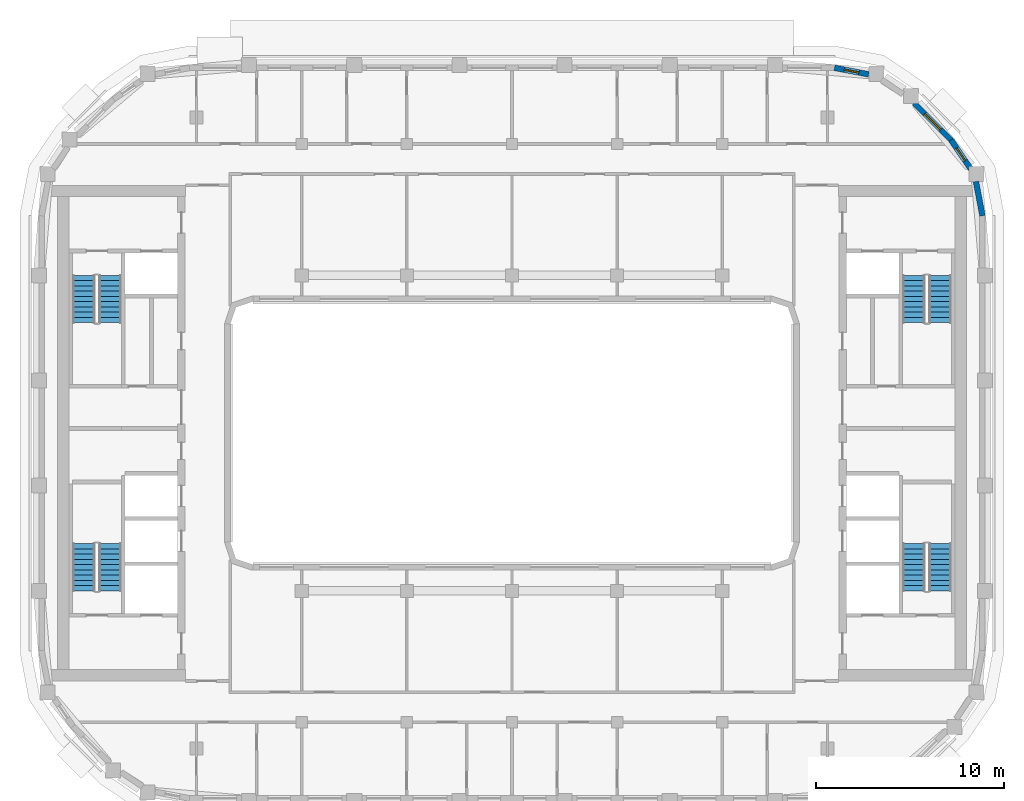
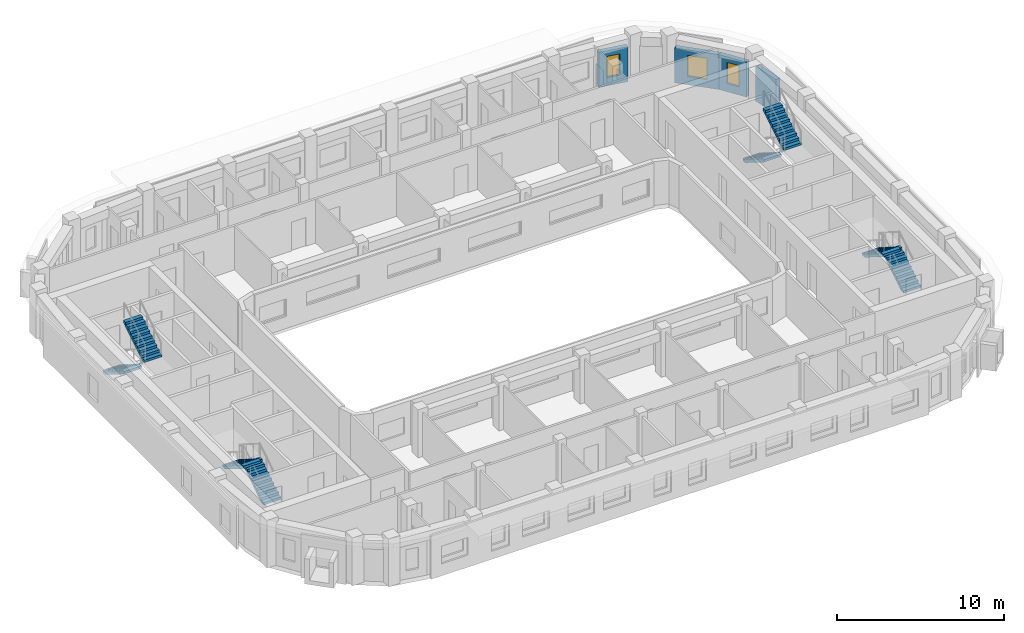
# One storey, part 8 of 15: 8 stair flights, 4 walls, 3 windows, 3 openings, 4 elements without a shape of their own.
"""IFC4 building model written with IfcOpenShell, lengths in metres."""

from ifc_helpers import new_model, si_unit, direction, frame, frame_2d, origin, place, context, subcontext, project, spatial, polyline, rectangle, outline, extrude, material, layer, layer_set, type_object, element, fill, aggregate, save


model = new_model("IFC4")

# Units and contexts
model_context = context("Model", 3, precision=1e-05, world=origin(), true_north=direction((0.0, 1.0)))
body_context = subcontext(model_context, "Body", "Model", "MODEL_VIEW")
ifc_project = project(units=[si_unit("LENGTHUNIT", "METRE"), si_unit("AREAUNIT", "SQUARE_METRE"), si_unit("VOLUMEUNIT", "CUBIC_METRE"), si_unit("PLANEANGLEUNIT", "RADIAN"), si_unit("MASSUNIT", "GRAM", prefix="KILO")], contexts=[model_context])

# Site, building, storey
site_placement = place(None, origin())
site = spatial("IfcSite", under=ifc_project, at=site_placement, CompositionType="ELEMENT")
building_placement = place(site_placement, origin())
building = spatial("IfcBuilding", under=site, at=building_placement, Name="Kiln Ring Residences", CompositionType="ELEMENT")
storey_placement = place(building_placement, frame((0.0, 0.0, 252.199951171875)))
storey = spatial("IfcBuildingStorey", under=building, at=storey_placement, Name="L65", CompositionType="ELEMENT", Elevation=252.199951171875)

# Wall
ifc_material_1 = material(Name="Brick masonry, dark clay brick", Category="masonry")
ifc_layer = layer(ifc_material_1, 0.300048828125)
ifc_layer_set = layer_set([ifc_layer], Name="EW-300 BRICK WALL")
wall_type = type_object("IfcWallType", Name="EW-300 BRICK WALL", PredefinedType="SOLIDWALL", material=ifc_layer_set)
wall_1_placement = place(storey_placement, frame((25.052734375, 11.57177734375, 0.0), z_axis=(0.0, 0.0, 1.0), x_axis=(-0.187408222942, 0.982282117303, 0.0)))
element("IfcWall", 1, at=wall_1_placement, inside=storey, type_object=wall_type, Name="Facade wall L65 21", PredefinedType="SOLIDWALL", context=body_context, shape_type="SweptSolid", body=[
    extrude(rectangle(XDim=1.8564453125, YDim=0.300048828125, at=frame_2d((0.92822265625, 0.0))), origin(), (0.0, 0.0, 1.0), 2.550048828125),
])

# Wall, opening, window
wall_2_placement = place(storey_placement, frame((24.422119140625, 14.07763671875, 0.0), z_axis=(0.0, 0.0, 1.0), x_axis=(-0.562054549384, 0.827100165347, 0.0)))
wall_2 = element("IfcWall", 2, at=wall_2_placement, inside=storey, type_object=wall_type, Name="Facade wall L65 22", PredefinedType="SOLIDWALL", context=body_context, shape_type="SweptSolid", body=[
    extrude(rectangle(XDim=1.85595703125, YDim=0.300048828125, at=frame_2d((0.927978515625, 0.0))), origin(), (0.0, 0.0, 1.0), 2.550048828125),
])
opening_1_placement = place(wall_2_placement, frame((0.528076171875, 0.0, 0.60009765625)))
opening_1 = element("IfcOpeningElement", 3, at=opening_1_placement, cuts=wall_2, Name="Opening W5", PredefinedType="OPENING", context=body_context, shape_type="SweptSolid", body=[
    extrude(rectangle(XDim=0.800048828125, YDim=1.550048828125, at=frame_2d((0.39990234375, 0.77490234375))), frame((0.0, 0.159912109375, 0.0), z_axis=(0.0, -1.0, 0.0), x_axis=(1.0, 0.0, 0.0)), (0.0, 0.0, 1.0), 0.320068359375),
])
ifc_material_2 = material(Name="Aluminium frame with double glazing", Category="aluminium")
window_type_1 = type_object("IfcWindowType", Name="WINDOW 800 x 1550", PartitioningType="SINGLE_PANEL", PredefinedType="WINDOW", material=ifc_material_2)
window_1_placement = place(opening_1_placement, origin())
window_1 = element("IfcWindow", 4, at=window_1_placement, inside=storey, type_object=window_type_1, Name="Window L65 18", OverallHeight=1.550048828125, OverallWidth=0.800048828125, PartitioningType="SINGLE_PANEL", PredefinedType="WINDOW", context=body_context, shape_type="SweptSolid", body=[
    extrude(rectangle(XDim=0.800048828125, YDim=1.550048828125, at=frame_2d((0.39990234375, 0.77490234375))), frame((0.0, 0.030029296875, 0.0), z_axis=(0.0, -1.0, 0.0), x_axis=(1.0, 0.0, 0.0)), (0.0, 0.0, 1.0), 0.06005859375),
])
fill(opening_1, window_1)

wall_3_placement = place(storey_placement, frame((23.39697265625, 15.591064453125, 0.0), z_axis=(0.0, 0.0, 1.0), x_axis=(-0.707150377276, 0.707063182409, 0.0)))
wall_3 = element("IfcWall", 5, at=wall_3_placement, inside=storey, type_object=wall_type, Name="Facade wall L65 23", PredefinedType="SOLIDWALL", context=body_context, shape_type="SweptSolid", body=[
    extrude(rectangle(XDim=2.800048828125, YDim=0.300048828125, at=frame_2d((1.39990234375, 0.0))), origin(), (0.0, 0.0, 1.0), 2.550048828125),
])
opening_2_placement = place(wall_3_placement, frame((0.800048828125, 0.0, 0.60009765625)))
opening_2 = element("IfcOpeningElement", 6, at=opening_2_placement, cuts=wall_3, Name="Opening W1", PredefinedType="OPENING", context=body_context, shape_type="SweptSolid", body=[
    extrude(rectangle(XDim=1.199951171875, YDim=1.550048828125, at=frame_2d((0.60009765625, 0.77490234375))), frame((0.0, 0.159912109375, 0.0), z_axis=(0.0, -1.0, 0.0), x_axis=(1.0, 0.0, 0.0)), (0.0, 0.0, 1.0), 0.320068359375),
])
ifc_material_3 = material(Name="Aluminium frame with double glazing", Category="aluminium")
window_type_2 = type_object("IfcWindowType", Name="WINDOW 1200 x 1550", PartitioningType="SINGLE_PANEL", PredefinedType="WINDOW", material=ifc_material_3)
window_2_placement = place(opening_2_placement, origin())
window_2 = element("IfcWindow", 7, at=window_2_placement, inside=storey, type_object=window_type_2, Name="Window L65 19", OverallHeight=1.550048828125, OverallWidth=1.199951171875, PartitioningType="SINGLE_PANEL", PredefinedType="WINDOW", context=body_context, shape_type="SweptSolid", body=[
    extrude(rectangle(XDim=1.199951171875, YDim=1.550048828125, at=frame_2d((0.60009765625, 0.77490234375))), frame((0.0, 0.030029296875, 0.0), z_axis=(0.0, -1.0, 0.0), x_axis=(1.0, 0.0, 0.0)), (0.0, 0.0, 1.0), 0.06005859375),
])
fill(opening_2, window_2)

wall_4_placement = place(storey_placement, frame((18.9951171875, 19.10498046875, 0.0), z_axis=(0.0, 0.0, 1.0), x_axis=(-0.982301706131, 0.187305520826, 0.0)))
wall_4 = element("IfcWall", 8, at=wall_4_placement, inside=storey, type_object=wall_type, Name="Facade wall L65 25", PredefinedType="SOLIDWALL", context=body_context, shape_type="SweptSolid", body=[
    extrude(rectangle(XDim=1.856201171875, YDim=0.300048828125, at=frame_2d((0.92822265625, 0.0))), origin(), (0.0, 0.0, 1.0), 2.550048828125),
])
opening_3_placement = place(wall_4_placement, frame((0.528076171875, 0.0, 0.60009765625)))
opening_3 = element("IfcOpeningElement", 9, at=opening_3_placement, cuts=wall_4, Name="Opening W5", PredefinedType="OPENING", context=body_context, shape_type="SweptSolid", body=[
    extrude(rectangle(XDim=0.800048828125, YDim=1.550048828125, at=frame_2d((0.39990234375, 0.77490234375))), frame((0.0, 0.159912109375, 0.0), z_axis=(0.0, -1.0, 0.0), x_axis=(1.0, 0.0, 0.0)), (0.0, 0.0, 1.0), 0.320068359375),
])
window_3_placement = place(opening_3_placement, origin())
window_3 = element("IfcWindow", 10, at=window_3_placement, inside=storey, type_object=window_type_1, Name="Window L65 20", OverallHeight=1.550048828125, OverallWidth=0.800048828125, PartitioningType="SINGLE_PANEL", PredefinedType="WINDOW", context=body_context, shape_type="SweptSolid", body=[
    extrude(rectangle(XDim=0.800048828125, YDim=1.550048828125, at=frame_2d((0.39990234375, 0.77490234375))), frame((0.0, 0.030029296875, 0.0), z_axis=(0.0, -1.0, 0.0), x_axis=(1.0, 0.0, 0.0)), (0.0, 0.0, 1.0), 0.06005859375),
])
fill(opening_3, window_3)

# Stair, stair flights
ifc_material_4 = material(Name="Concrete C40/50", Category="concrete")
stair_type = type_object("IfcStairType", Name="CORE-STAIR", PredefinedType="HALF_TURN_STAIR", material=ifc_material_4)
placement = place(storey_placement, origin())
stair_1 = element("IfcStair", 11, at=placement, inside=storey, type_object=stair_type, Name="L65 stair W-STN", PredefinedType="HALF_TURN_STAIR")
ifc_material_5 = material(Name="Concrete C40/50", Category="concrete")
stair_flight_type = type_object("IfcStairFlightType", Name="CORE-STAIR-FLIGHT", PredefinedType="STRAIGHT", material=ifc_material_5)
stair_flight_1_placement = place(storey_placement, frame((-22.800048828125, 8.39990234375, 0.0), z_axis=(0.0, 0.0, 1.0), x_axis=(0.0, -1.0, 0.0)))
stair_flight_1 = element("IfcStairFlight", 12, at=stair_flight_1_placement, type_object=stair_flight_type, Name="W-STN flight 1", NumberOfRisers=10, NumberOfTreads=9, PredefinedType="STRAIGHT", RiserHeight=0.175, TreadLength=0.28, context=body_context, shape_type="SweptSolid", body=[
    extrude(outline(polyline([(0.0, 0.0), (0.0, 0.175048828125), (0.280029296875, 0.175048828125), (0.280029296875, 0.35009765625), (0.56005859375, 0.35009765625), (0.56005859375, 0.52490234375), (0.840087890625, 0.52490234375), (0.840087890625, 0.699951171875), (1.1201171875, 0.699951171875), (1.1201171875, 0.875), (1.39990234375, 0.875), (1.39990234375, 1.050048828125), (1.679931640625, 1.050048828125), (1.679931640625, 1.22509765625), (1.9599609375, 1.22509765625), (1.9599609375, 1.39990234375), (2.239990234375, 1.39990234375), (2.239990234375, 1.574951171875), (2.52001953125, 1.574951171875), (2.52001953125, 1.75), (2.52001953125, 1.398193359375), (0.28271484375, 0.0), (0.0, 0.0)])), frame((0.0, 0.60009765625, 0.0), z_axis=(0.0, -1.0, 0.0), x_axis=(1.0, 0.0, 0.0)), (0.0, 0.0, 1.0), 1.199951171875),
])
stair_flight_2_placement = place(storey_placement, frame((-21.39990234375, 5.8798828125, 1.75), z_axis=(0.0, 0.0, 1.0), x_axis=(0.0, 1.0, 0.0)))
stair_flight_2 = element("IfcStairFlight", 13, at=stair_flight_2_placement, type_object=stair_flight_type, Name="W-STN flight 2", NumberOfRisers=10, NumberOfTreads=9, PredefinedType="STRAIGHT", RiserHeight=0.175, TreadLength=0.28, context=body_context, shape_type="SweptSolid", body=[
    extrude(outline(polyline([(0.0, 0.0), (0.0, 0.175048828125), (0.280029296875, 0.175048828125), (0.280029296875, 0.35009765625), (0.56005859375, 0.35009765625), (0.56005859375, 0.52490234375), (0.840087890625, 0.52490234375), (0.840087890625, 0.699951171875), (1.1201171875, 0.699951171875), (1.1201171875, 0.875), (1.39990234375, 0.875), (1.39990234375, 1.050048828125), (1.679931640625, 1.050048828125), (1.679931640625, 1.22509765625), (1.9599609375, 1.22509765625), (1.9599609375, 1.39990234375), (2.239990234375, 1.39990234375), (2.239990234375, 1.574951171875), (2.52001953125, 1.574951171875), (2.52001953125, 1.75), (2.52001953125, 1.398193359375), (0.28271484375, 0.0), (0.0, 0.0)])), frame((0.0, 0.60009765625, 0.0), z_axis=(0.0, -1.0, 0.0), x_axis=(1.0, 0.0, 0.0)), (0.0, 0.0, 1.0), 1.199951171875),
])
aggregate(stair_1, [stair_flight_1, stair_flight_2])

stair_2 = element("IfcStair", 14, at=placement, inside=storey, type_object=stair_type, Name="L65 stair W-STS", PredefinedType="HALF_TURN_STAIR")
stair_flight_3_placement = place(storey_placement, frame((-21.39990234375, -8.39990234375, 0.0), z_axis=(0.0, 0.0, 1.0), x_axis=(0.0, 1.0, 0.0)))
stair_flight_3 = element("IfcStairFlight", 15, at=stair_flight_3_placement, type_object=stair_flight_type, Name="W-STS flight 1", NumberOfRisers=10, NumberOfTreads=9, PredefinedType="STRAIGHT", RiserHeight=0.175, TreadLength=0.28, context=body_context, shape_type="SweptSolid", body=[
    extrude(outline(polyline([(0.0, 0.0), (0.0, 0.175048828125), (0.280029296875, 0.175048828125), (0.280029296875, 0.35009765625), (0.56005859375, 0.35009765625), (0.56005859375, 0.52490234375), (0.840087890625, 0.52490234375), (0.840087890625, 0.699951171875), (1.1201171875, 0.699951171875), (1.1201171875, 0.875), (1.39990234375, 0.875), (1.39990234375, 1.050048828125), (1.679931640625, 1.050048828125), (1.679931640625, 1.22509765625), (1.9599609375, 1.22509765625), (1.9599609375, 1.39990234375), (2.239990234375, 1.39990234375), (2.239990234375, 1.574951171875), (2.52001953125, 1.574951171875), (2.52001953125, 1.75), (2.52001953125, 1.398193359375), (0.28271484375, 0.0), (0.0, 0.0)])), frame((0.0, 0.60009765625, 0.0), z_axis=(0.0, -1.0, 0.0), x_axis=(1.0, 0.0, 0.0)), (0.0, 0.0, 1.0), 1.199951171875),
])
stair_flight_4_placement = place(storey_placement, frame((-22.800048828125, -5.8798828125, 1.75), z_axis=(0.0, 0.0, 1.0), x_axis=(0.0, -1.0, 0.0)))
stair_flight_4 = element("IfcStairFlight", 16, at=stair_flight_4_placement, type_object=stair_flight_type, Name="W-STS flight 2", NumberOfRisers=10, NumberOfTreads=9, PredefinedType="STRAIGHT", RiserHeight=0.175, TreadLength=0.28, context=body_context, shape_type="SweptSolid", body=[
    extrude(outline(polyline([(0.0, 0.0), (0.0, 0.175048828125), (0.280029296875, 0.175048828125), (0.280029296875, 0.35009765625), (0.56005859375, 0.35009765625), (0.56005859375, 0.52490234375), (0.840087890625, 0.52490234375), (0.840087890625, 0.699951171875), (1.1201171875, 0.699951171875), (1.1201171875, 0.875), (1.39990234375, 0.875), (1.39990234375, 1.050048828125), (1.679931640625, 1.050048828125), (1.679931640625, 1.22509765625), (1.9599609375, 1.22509765625), (1.9599609375, 1.39990234375), (2.239990234375, 1.39990234375), (2.239990234375, 1.574951171875), (2.52001953125, 1.574951171875), (2.52001953125, 1.75), (2.52001953125, 1.398193359375), (0.28271484375, 0.0), (0.0, 0.0)])), frame((0.0, 0.60009765625, 0.0), z_axis=(0.0, -1.0, 0.0), x_axis=(1.0, 0.0, 0.0)), (0.0, 0.0, 1.0), 1.199951171875),
])
aggregate(stair_2, [stair_flight_3, stair_flight_4])

stair_3 = element("IfcStair", 17, at=placement, inside=storey, type_object=stair_type, Name="L65 stair E-STN", PredefinedType="HALF_TURN_STAIR")
stair_flight_5_placement = place(storey_placement, frame((21.39990234375, 8.39990234375, 0.0), z_axis=(0.0, 0.0, 1.0), x_axis=(0.0, -1.0, 0.0)))
stair_flight_5 = element("IfcStairFlight", 18, at=stair_flight_5_placement, type_object=stair_flight_type, Name="E-STN flight 1", NumberOfRisers=10, NumberOfTreads=9, PredefinedType="STRAIGHT", RiserHeight=0.175, TreadLength=0.28, context=body_context, shape_type="SweptSolid", body=[
    extrude(outline(polyline([(0.0, 0.0), (0.0, 0.175048828125), (0.280029296875, 0.175048828125), (0.280029296875, 0.35009765625), (0.56005859375, 0.35009765625), (0.56005859375, 0.52490234375), (0.840087890625, 0.52490234375), (0.840087890625, 0.699951171875), (1.1201171875, 0.699951171875), (1.1201171875, 0.875), (1.39990234375, 0.875), (1.39990234375, 1.050048828125), (1.679931640625, 1.050048828125), (1.679931640625, 1.22509765625), (1.9599609375, 1.22509765625), (1.9599609375, 1.39990234375), (2.239990234375, 1.39990234375), (2.239990234375, 1.574951171875), (2.52001953125, 1.574951171875), (2.52001953125, 1.75), (2.52001953125, 1.398193359375), (0.28271484375, 0.0), (0.0, 0.0)])), frame((0.0, 0.60009765625, 0.0), z_axis=(0.0, -1.0, 0.0), x_axis=(1.0, 0.0, 0.0)), (0.0, 0.0, 1.0), 1.199951171875),
])
stair_flight_6_placement = place(storey_placement, frame((22.800048828125, 5.8798828125, 1.75), z_axis=(0.0, 0.0, 1.0), x_axis=(0.0, 1.0, 0.0)))
stair_flight_6 = element("IfcStairFlight", 19, at=stair_flight_6_placement, type_object=stair_flight_type, Name="E-STN flight 2", NumberOfRisers=10, NumberOfTreads=9, PredefinedType="STRAIGHT", RiserHeight=0.175, TreadLength=0.28, context=body_context, shape_type="SweptSolid", body=[
    extrude(outline(polyline([(0.0, 0.0), (0.0, 0.175048828125), (0.280029296875, 0.175048828125), (0.280029296875, 0.35009765625), (0.56005859375, 0.35009765625), (0.56005859375, 0.52490234375), (0.840087890625, 0.52490234375), (0.840087890625, 0.699951171875), (1.1201171875, 0.699951171875), (1.1201171875, 0.875), (1.39990234375, 0.875), (1.39990234375, 1.050048828125), (1.679931640625, 1.050048828125), (1.679931640625, 1.22509765625), (1.9599609375, 1.22509765625), (1.9599609375, 1.39990234375), (2.239990234375, 1.39990234375), (2.239990234375, 1.574951171875), (2.52001953125, 1.574951171875), (2.52001953125, 1.75), (2.52001953125, 1.398193359375), (0.28271484375, 0.0), (0.0, 0.0)])), frame((0.0, 0.60009765625, 0.0), z_axis=(0.0, -1.0, 0.0), x_axis=(1.0, 0.0, 0.0)), (0.0, 0.0, 1.0), 1.199951171875),
])
aggregate(stair_3, [stair_flight_5, stair_flight_6])

stair_4 = element("IfcStair", 20, at=placement, inside=storey, type_object=stair_type, Name="L65 stair E-STS", PredefinedType="HALF_TURN_STAIR")
stair_flight_7_placement = place(storey_placement, frame((22.800048828125, -8.39990234375, 0.0), z_axis=(0.0, 0.0, 1.0), x_axis=(0.0, 1.0, 0.0)))
stair_flight_7 = element("IfcStairFlight", 21, at=stair_flight_7_placement, type_object=stair_flight_type, Name="E-STS flight 1", NumberOfRisers=10, NumberOfTreads=9, PredefinedType="STRAIGHT", RiserHeight=0.175, TreadLength=0.28, context=body_context, shape_type="SweptSolid", body=[
    extrude(outline(polyline([(0.0, 0.0), (0.0, 0.175048828125), (0.280029296875, 0.175048828125), (0.280029296875, 0.35009765625), (0.56005859375, 0.35009765625), (0.56005859375, 0.52490234375), (0.840087890625, 0.52490234375), (0.840087890625, 0.699951171875), (1.1201171875, 0.699951171875), (1.1201171875, 0.875), (1.39990234375, 0.875), (1.39990234375, 1.050048828125), (1.679931640625, 1.050048828125), (1.679931640625, 1.22509765625), (1.9599609375, 1.22509765625), (1.9599609375, 1.39990234375), (2.239990234375, 1.39990234375), (2.239990234375, 1.574951171875), (2.52001953125, 1.574951171875), (2.52001953125, 1.75), (2.52001953125, 1.398193359375), (0.28271484375, 0.0), (0.0, 0.0)])), frame((0.0, 0.60009765625, 0.0), z_axis=(0.0, -1.0, 0.0), x_axis=(1.0, 0.0, 0.0)), (0.0, 0.0, 1.0), 1.199951171875),
])
stair_flight_8_placement = place(storey_placement, frame((21.39990234375, -5.8798828125, 1.75), z_axis=(0.0, 0.0, 1.0), x_axis=(0.0, -1.0, 0.0)))
stair_flight_8 = element("IfcStairFlight", 22, at=stair_flight_8_placement, type_object=stair_flight_type, Name="E-STS flight 2", NumberOfRisers=10, NumberOfTreads=9, PredefinedType="STRAIGHT", RiserHeight=0.175, TreadLength=0.28, context=body_context, shape_type="SweptSolid", body=[
    extrude(outline(polyline([(0.0, 0.0), (0.0, 0.175048828125), (0.280029296875, 0.175048828125), (0.280029296875, 0.35009765625), (0.56005859375, 0.35009765625), (0.56005859375, 0.52490234375), (0.840087890625, 0.52490234375), (0.840087890625, 0.699951171875), (1.1201171875, 0.699951171875), (1.1201171875, 0.875), (1.39990234375, 0.875), (1.39990234375, 1.050048828125), (1.679931640625, 1.050048828125), (1.679931640625, 1.22509765625), (1.9599609375, 1.22509765625), (1.9599609375, 1.39990234375), (2.239990234375, 1.39990234375), (2.239990234375, 1.574951171875), (2.52001953125, 1.574951171875), (2.52001953125, 1.75), (2.52001953125, 1.398193359375), (0.28271484375, 0.0), (0.0, 0.0)])), frame((0.0, 0.60009765625, 0.0), z_axis=(0.0, -1.0, 0.0), x_axis=(1.0, 0.0, 0.0)), (0.0, 0.0, 1.0), 1.199951171875),
])
aggregate(stair_4, [stair_flight_7, stair_flight_8])

save(model, "model.ifc")
